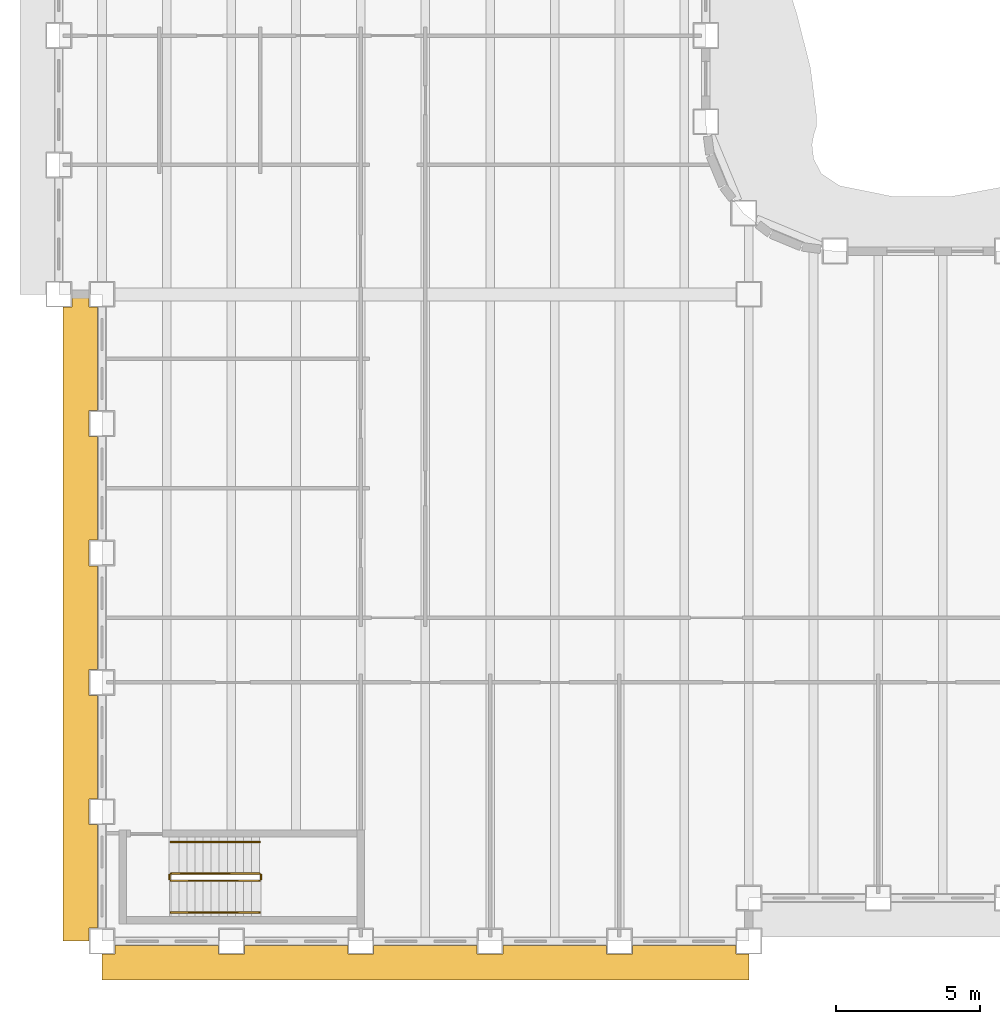
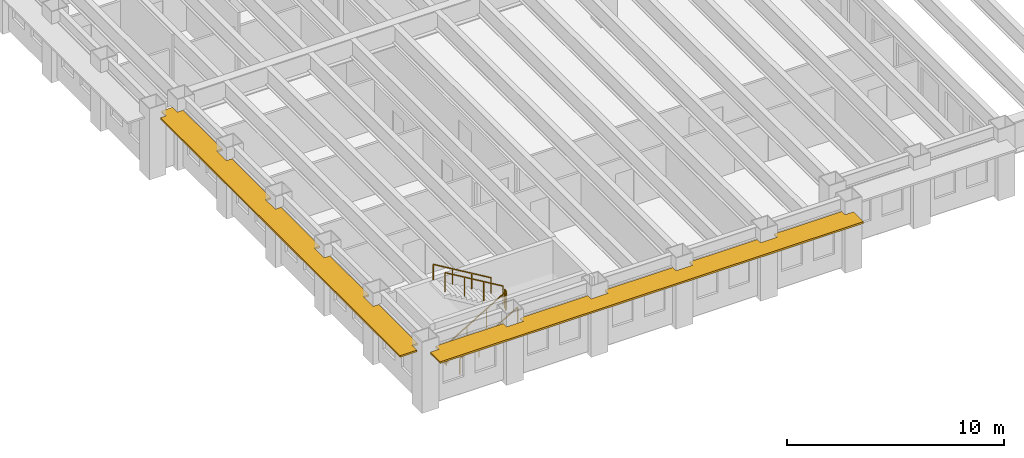
# One storey, part 10 of 13: 6 railings, 2 shading devices.
"""IFC4 building model written with IfcOpenShell, lengths in metres."""

from ifc_helpers import new_model, si_unit, direction, frame, origin, origin_2d, place, context, subcontext, project, spatial, polyline, rectangle, outline, extrude, material, layer, layer_set, type_object, element, save


model = new_model("IFC4")

# Units and contexts
model_context = context("Model", 3, precision=1e-05, world=origin(), true_north=direction((0.0, 1.0)))
body_context = subcontext(model_context, "Body", "Model", "MODEL_VIEW")
ifc_project = project(units=[si_unit("LENGTHUNIT", "METRE"), si_unit("AREAUNIT", "SQUARE_METRE"), si_unit("VOLUMEUNIT", "CUBIC_METRE"), si_unit("PLANEANGLEUNIT", "RADIAN"), si_unit("MASSUNIT", "GRAM", prefix="KILO")], contexts=[model_context])

# Site, building, storey
site_placement = place(None, origin())
site = spatial("IfcSite", under=ifc_project, at=site_placement, CompositionType="ELEMENT")
building_placement = place(site_placement, origin())
building = spatial("IfcBuilding", under=site, at=building_placement, Name="Sennacour Bend Tower", CompositionType="ELEMENT")
storey_placement = place(building_placement, frame((0.0, 0.0, 147.0)))
storey = spatial("IfcBuildingStorey", under=building, at=storey_placement, Name="L33", CompositionType="ELEMENT", Elevation=147.0)

# Railings
ifc_material_1 = material(Name="Stainless steel", Category="steel")
railing_type_1 = type_object("IfcRailingType", Name="RL-GUARD-1100", PredefinedType="GUARDRAIL", material=ifc_material_1)
railing_1_placement = place(storey_placement, frame((2.39990234375, 2.10009765625, 0.166748046875)))
element("IfcRailing", 1, at=railing_1_placement, inside=storey, type_object=railing_type_1, Name="L33 SK1 stair guard 1", PredefinedType="GUARDRAIL", context=body_context, shape_type="SweptSolid", body=[
    extrude(rectangle(XDim=0.048095703125, YDim=0.048095703125, at=origin_2d()), frame((0.0, 0.0, 1.076171875), z_axis=(0.859308565015, 0.0, 0.511457515432), x_axis=(0.0, 1.0, 0.0)), (0.0, 0.0, 1.0), 3.58447265625),
    extrude(rectangle(XDim=0.0419921875, YDim=0.0419921875, at=origin_2d()), origin(), (0.0, 0.0, 1.0), 1.052001953125),
    extrude(rectangle(XDim=0.0419921875, YDim=0.0419921875, at=origin_2d()), frame((1.026611328125, 0.0, 0.611083984375)), (0.0, 0.0, 1.0), 1.052001953125),
    extrude(rectangle(XDim=0.0419921875, YDim=0.0419921875, at=origin_2d()), frame((2.053466796875, 0.0, 1.22216796875)), (0.0, 0.0, 1.0), 1.052001953125),
    extrude(rectangle(XDim=0.0419921875, YDim=0.0419921875, at=origin_2d()), frame((3.080078125, 0.0, 1.833251953125)), (0.0, 0.0, 1.0), 1.052001953125),
])
railing_2_placement = place(storey_placement, frame((5.530029296875, 2.14990234375, 2.0)))
element("IfcRailing", 2, at=railing_2_placement, inside=storey, type_object=railing_type_1, Name="L33 SK1 stair guard 2", PredefinedType="GUARDRAIL", context=body_context, shape_type="SweptSolid", body=[
    extrude(rectangle(XDim=0.048095703125, YDim=0.048095703125, at=origin_2d()), frame((0.0, 0.0, 1.076171875), z_axis=(0.0, 1.0, 0.0), x_axis=(-1.0, 0.0, 0.0)), (0.0, 0.0, 1.0), 0.150146484375),
    extrude(rectangle(XDim=0.0419921875, YDim=0.0419921875, at=origin_2d()), origin(), (0.0, 0.0, 1.0), 1.052001953125),
    extrude(rectangle(XDim=0.0419921875, YDim=0.0419921875, at=origin_2d()), frame((0.0, 0.150146484375, 0.0)), (0.0, 0.0, 1.0), 1.052001953125),
])
railing_3_placement = place(storey_placement, frame((5.47998046875, 2.35009765625, 2.166748046875)))
element("IfcRailing", 3, at=railing_3_placement, inside=storey, type_object=railing_type_1, Name="L33 SK1 stair guard 3", PredefinedType="GUARDRAIL", context=body_context, shape_type="SweptSolid", body=[
    extrude(rectangle(XDim=0.048095703125, YDim=0.048095703125, at=origin_2d()), frame((0.0, 0.0, 1.076171875), z_axis=(-0.859308565015, 0.0, 0.511457515432), x_axis=(0.0, -1.0, 0.0)), (0.0, 0.0, 1.0), 3.58447265625),
    extrude(rectangle(XDim=0.0419921875, YDim=0.0419921875, at=origin_2d()), origin(), (0.0, 0.0, 1.0), 1.052001953125),
    extrude(rectangle(XDim=0.0419921875, YDim=0.0419921875, at=origin_2d()), frame((-1.026611328125, 0.0, 0.611083984375)), (0.0, 0.0, 1.0), 1.052001953125),
    extrude(rectangle(XDim=0.0419921875, YDim=0.0419921875, at=origin_2d()), frame((-2.053466796875, 0.0, 1.22216796875)), (0.0, 0.0, 1.0), 1.052001953125),
    extrude(rectangle(XDim=0.0419921875, YDim=0.0419921875, at=origin_2d()), frame((-3.080078125, 0.0, 1.833251953125)), (0.0, 0.0, 1.0), 1.052001953125),
])
railing_4_placement = place(storey_placement, frame((2.35009765625, 2.14990234375, 0.0)))
element("IfcRailing", 4, at=railing_4_placement, inside=storey, type_object=railing_type_1, Name="L33 SK1 stair guard 4", PredefinedType="GUARDRAIL", context=body_context, shape_type="SweptSolid", body=[
    extrude(rectangle(XDim=0.048095703125, YDim=0.048095703125, at=origin_2d()), frame((0.0, 0.0, 1.076171875), z_axis=(0.0, 1.0, 0.0), x_axis=(-1.0, 0.0, 0.0)), (0.0, 0.0, 1.0), 0.150146484375),
    extrude(rectangle(XDim=0.0419921875, YDim=0.0419921875, at=origin_2d()), origin(), (0.0, 0.0, 1.0), 1.052001953125),
    extrude(rectangle(XDim=0.0419921875, YDim=0.0419921875, at=origin_2d()), frame((0.0, 0.150146484375, 0.0)), (0.0, 0.0, 1.0), 1.052001953125),
])
railing_type_2 = type_object("IfcRailingType", Name="RL-HANDRAIL-900", PredefinedType="HANDRAIL", material=ifc_material_1)
railing_5_placement = place(storey_placement, frame((2.39990234375, 1.0, 0.166748046875)))
element("IfcRailing", 5, at=railing_5_placement, inside=storey, type_object=railing_type_2, Name="L33 SK1 stair handrail 1", PredefinedType="HANDRAIL", context=body_context, shape_type="SweptSolid", body=[
    extrude(rectangle(XDim=0.048095703125, YDim=0.048095703125, at=origin_2d()), frame((0.0, 0.0, 0.8759765625), z_axis=(0.859308565015, 0.0, 0.511457515432), x_axis=(0.0, 1.0, 0.0)), (0.0, 0.0, 1.0), 3.58447265625),
    extrude(rectangle(XDim=0.0419921875, YDim=0.0419921875, at=origin_2d()), origin(), (0.0, 0.0, 1.0), 0.851806640625),
    extrude(rectangle(XDim=0.0419921875, YDim=0.0419921875, at=origin_2d()), frame((1.026611328125, 0.0, 0.611083984375)), (0.0, 0.0, 1.0), 0.851806640625),
    extrude(rectangle(XDim=0.0419921875, YDim=0.0419921875, at=origin_2d()), frame((2.053466796875, 0.0, 1.22216796875)), (0.0, 0.0, 1.0), 0.851806640625),
    extrude(rectangle(XDim=0.0419921875, YDim=0.0419921875, at=origin_2d()), frame((3.080078125, 0.0, 1.833251953125)), (0.0, 0.0, 1.0), 0.851806640625),
])
railing_6_placement = place(storey_placement, frame((5.47998046875, 3.449951171875, 2.166748046875)))
element("IfcRailing", 6, at=railing_6_placement, inside=storey, type_object=railing_type_2, Name="L33 SK1 stair handrail 2", PredefinedType="HANDRAIL", context=body_context, shape_type="SweptSolid", body=[
    extrude(rectangle(XDim=0.048095703125, YDim=0.048095703125, at=origin_2d()), frame((0.0, 0.0, 0.8759765625), z_axis=(-0.859308565015, 0.0, 0.511457515432), x_axis=(0.0, -1.0, 0.0)), (0.0, 0.0, 1.0), 3.58447265625),
    extrude(rectangle(XDim=0.0419921875, YDim=0.0419921875, at=origin_2d()), origin(), (0.0, 0.0, 1.0), 0.851806640625),
    extrude(rectangle(XDim=0.0419921875, YDim=0.0419921875, at=origin_2d()), frame((-1.026611328125, 0.0, 0.611083984375)), (0.0, 0.0, 1.0), 0.851806640625),
    extrude(rectangle(XDim=0.0419921875, YDim=0.0419921875, at=origin_2d()), frame((-2.053466796875, 0.0, 1.22216796875)), (0.0, 0.0, 1.0), 0.851806640625),
    extrude(rectangle(XDim=0.0419921875, YDim=0.0419921875, at=origin_2d()), frame((-3.080078125, 0.0, 1.833251953125)), (0.0, 0.0, 1.0), 0.851806640625),
])

# Shading devices
ifc_material_2 = material(Name="Bronze anodised aluminium", Category="aluminium")
ifc_layer = layer(ifc_material_2, 0.10009765625, Name="Bronze anodised aluminium", Category="aluminium")
ifc_layer_set = layer_set([ifc_layer], Name="Bronze anodised aluminium")
shading_device_type = type_object("IfcShadingDeviceType", Name="SUNSHADE BAND STRAIGHT", PredefinedType="USERDEFINED", material=ifc_layer_set)
shading_device_1_placement = place(storey_placement, frame((0.0, 0.0, 3.049072265625)))
element("IfcShadingDevice", 7, at=shading_device_1_placement, inside=storey, type_object=shading_device_type, Name="Sunshade band L33 K outer face", ObjectType="SUNSHADE", PredefinedType="USERDEFINED", context=body_context, shape_type="SweptSolid", body=[
    extrude(outline(polyline([(-0.14990234375, 18.449951171875), (-0.449951171875, 18.449951171875), (-0.449951171875, 17.550048828125), (-0.14990234375, 17.550048828125), (-0.14990234375, 13.949951171875), (-0.449951171875, 13.949951171875), (-0.449951171875, 13.050048828125), (-0.14990234375, 13.050048828125), (-0.14990234375, 9.449951171875), (-0.449951171875, 9.449951171875), (-0.449951171875, 8.550048828125), (-0.14990234375, 8.550048828125), (-0.14990234375, 4.949951171875), (-0.449951171875, 4.949951171875), (-0.449951171875, 4.050048828125), (-0.14990234375, 4.050048828125), (-0.14990234375, 0.449951171875), (-0.449951171875, 0.449951171875), (-0.449951171875, 0.0), (-1.35009765625, 0.0), (-1.35009765625, 22.050048828125), (-1.050048828125, 22.050048828125), (-1.050048828125, 22.5), (-0.449951171875, 22.5), (-0.449951171875, 22.050048828125), (-0.14990234375, 22.050048828125), (-0.14990234375, 18.449951171875)])), origin(), (0.0, 0.0, 1.0), 0.099853515625),
])
shading_device_2_placement = place(storey_placement, frame((0.0, 0.0, 3.049072265625)))
element("IfcShadingDevice", 8, at=shading_device_2_placement, inside=storey, type_object=shading_device_type, Name="Sunshade band L33 K outer face", ObjectType="SUNSHADE", PredefinedType="USERDEFINED", context=body_context, shape_type="SweptSolid", body=[
    extrude(outline(polyline([(4.050048828125, -0.14990234375), (4.050048828125, -0.449951171875), (4.949951171875, -0.449951171875), (4.949951171875, -0.14990234375), (8.550048828125, -0.14990234375), (8.550048828125, -0.449951171875), (9.449951171875, -0.449951171875), (9.449951171875, -0.14990234375), (13.050048828125, -0.14990234375), (13.050048828125, -0.449951171875), (13.949951171875, -0.449951171875), (13.949951171875, -0.14990234375), (17.550048828125, -0.14990234375), (17.550048828125, -0.449951171875), (18.449951171875, -0.449951171875), (18.449951171875, -0.14990234375), (22.050048828125, -0.14990234375), (22.050048828125, -0.449951171875), (22.5, -0.449951171875), (22.5, -1.35009765625), (0.0, -1.35009765625), (0.0, -0.449951171875), (0.449951171875, -0.449951171875), (0.449951171875, -0.14990234375), (4.050048828125, -0.14990234375)])), origin(), (0.0, 0.0, 1.0), 0.099853515625),
])

save(model, "model.ifc")
